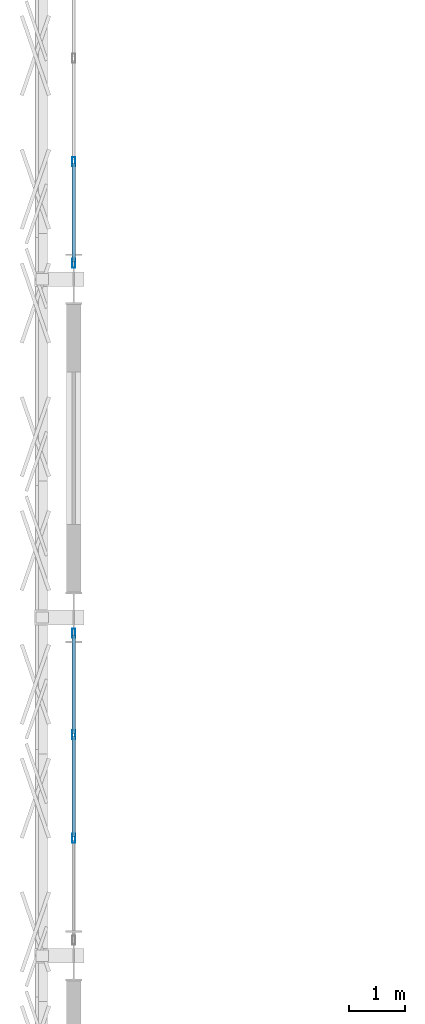
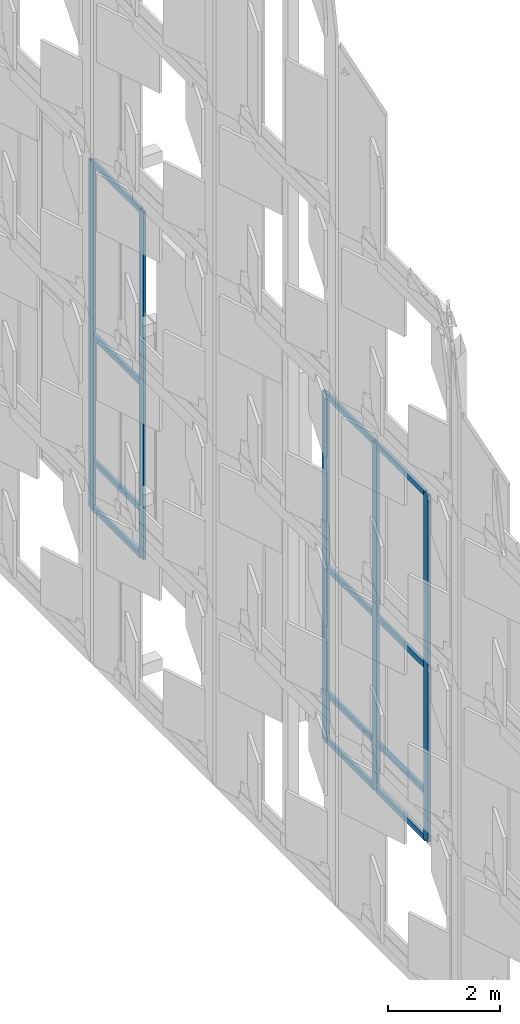
# One storey, part 76 of 210: 17 members, 2 elements without a shape of their own.
"""IFC4 building model written with IfcOpenShell, lengths in metres."""

from ifc_helpers import new_model, si_unit, direction, frame, origin, origin_2d, place, context, subcontext, project, spatial, hollow_rectangle, extrude, material, material_profile, profile_set, type_object, element, aggregate, save


model = new_model("IFC4")

# Units and contexts
model_context = context("Model", 3, precision=1e-05, world=origin(), true_north=direction((0.0, 1.0)))
body_context = subcontext(model_context, "Body", "Model", "MODEL_VIEW")
ifc_project = project(units=[si_unit("LENGTHUNIT", "METRE"), si_unit("AREAUNIT", "SQUARE_METRE"), si_unit("VOLUMEUNIT", "CUBIC_METRE"), si_unit("PLANEANGLEUNIT", "RADIAN"), si_unit("MASSUNIT", "GRAM", prefix="KILO")], contexts=[model_context])

# Site, building, storey
site_placement = place(None, origin())
site = spatial("IfcSite", under=ifc_project, at=site_placement, CompositionType="ELEMENT")
building_placement = place(site_placement, origin())
building = spatial("IfcBuilding", under=site, at=building_placement, Name="Kaldris Quays Convention Centre", CompositionType="ELEMENT")
storey_placement = place(building_placement, frame((0.0, 0.0, 6.0)))
storey = spatial("IfcBuildingStorey", under=building, at=storey_placement, Name="L01", CompositionType="ELEMENT", Elevation=6.0)

# Curtain wall, members
ifc_material_1 = material(Name="Anodized aluminium AW-6060 and triple glazing", Category="aluminium")
curtain_wall_type = type_object("IfcCurtainWallType", Name="UNITISED CURTAIN WALL CW03", PredefinedType="NOTDEFINED", material=ifc_material_1)
curtain_wall_1_placement = place(storey_placement, origin())
curtain_wall_1 = element("IfcCurtainWall", 1, at=curtain_wall_1_placement, inside=storey, type_object=curtain_wall_type, Name="L01 Unitised Curtain Wall CW03 18", PredefinedType="NOTDEFINED")
ifc_material_2 = material(Name="Anodized aluminium AW-6060", Category="aluminium")
ifc_material_profile_1 = material_profile(ifc_material_2, hollow_rectangle(XDim=0.06005859375, YDim=0.159912109375, WallThickness=0.00390625, at=origin_2d()), Name="RHS 160x60x4")
ifc_profile_set_1 = profile_set([ifc_material_profile_1], Name="Anodized aluminium AW-6060")
member_type_1 = type_object("IfcMemberType", Name="CURTAIN MULLION CWM1", PredefinedType="MULLION", material=ifc_profile_set_1)
member_1_placement = place(storey_placement, frame((20.0, 94.083251953125, 0.0), z_axis=(0.0, 0.0, 1.0), x_axis=(-1.0, 0.0, 0.0)))
member_1 = element("IfcMember", 2, at=member_1_placement, type_object=member_type_1, Name="CW03 mullion 2", PredefinedType="MULLION", context=body_context, shape_type="SweptSolid", body=[
    extrude(hollow_rectangle(XDim=0.06005859375, YDim=0.159912109375, WallThickness=0.00390625, at=origin_2d()), origin(), (0.0, 0.0, 1.0), 7.60009765625),
])
member_2_placement = place(storey_placement, frame((20.0, 95.916748046875, 0.0), z_axis=(0.0, 0.0, 1.0), x_axis=(-1.0, 0.0, 0.0)))
member_2 = element("IfcMember", 3, at=member_2_placement, type_object=member_type_1, Name="CW03 mullion 3", PredefinedType="MULLION", context=body_context, shape_type="SweptSolid", body=[
    extrude(hollow_rectangle(XDim=0.06005859375, YDim=0.159912109375, WallThickness=0.00390625, at=origin_2d()), origin(), (0.0, 0.0, 1.0), 7.60009765625),
])
member_3_placement = place(storey_placement, frame((20.0, 97.719970703125, 0.0), z_axis=(0.0, 0.0, 1.0), x_axis=(-1.0, 0.0, 0.0)))
member_3 = element("IfcMember", 4, at=member_3_placement, type_object=member_type_1, Name="CW03 mullion 4", PredefinedType="MULLION", context=body_context, shape_type="SweptSolid", body=[
    extrude(hollow_rectangle(XDim=0.06005859375, YDim=0.159912109375, WallThickness=0.00390625, at=origin_2d()), origin(), (0.0, 0.0, 1.0), 7.60009765625),
])

curtain_wall_2_placement = place(storey_placement, origin())
curtain_wall_2 = element("IfcCurtainWall", 5, at=curtain_wall_2_placement, inside=storey, type_object=curtain_wall_type, Name="L01 Unitised Curtain Wall CW03 19", PredefinedType="NOTDEFINED")
member_4_placement = place(storey_placement, frame((20.0, 104.280029296875, 0.0), z_axis=(0.0, 0.0, 1.0), x_axis=(-1.0, 0.0, 0.0)))
member_4 = element("IfcMember", 6, at=member_4_placement, type_object=member_type_1, Name="CW03 mullion 1", PredefinedType="MULLION", context=body_context, shape_type="SweptSolid", body=[
    extrude(hollow_rectangle(XDim=0.06005859375, YDim=0.159912109375, WallThickness=0.00390625, at=origin_2d()), origin(), (0.0, 0.0, 1.0), 7.60009765625),
])
member_5_placement = place(storey_placement, frame((20.0, 106.083251953125, 0.0), z_axis=(0.0, 0.0, 1.0), x_axis=(-1.0, 0.0, 0.0)))
member_5 = element("IfcMember", 7, at=member_5_placement, type_object=member_type_1, Name="CW03 mullion 2", PredefinedType="MULLION", context=body_context, shape_type="SweptSolid", body=[
    extrude(hollow_rectangle(XDim=0.06005859375, YDim=0.159912109375, WallThickness=0.00390625, at=origin_2d()), origin(), (0.0, 0.0, 1.0), 7.60009765625),
])

# Member
ifc_material_profile_2 = material_profile(ifc_material_2, hollow_rectangle(XDim=0.06005859375, YDim=0.1201171875, WallThickness=0.00390625, at=origin_2d()), Name="RHS 120x60x4")
ifc_profile_set_2 = profile_set([ifc_material_profile_2], Name="Anodized aluminium AW-6060")
member_type_2 = type_object("IfcMemberType", Name="CURTAIN TRANSOM CWT1", PredefinedType="USERDEFINED", material=ifc_profile_set_2)
member_6_placement = place(storey_placement, frame((20.0, 94.11328125, 0.030029296875), z_axis=(0.0, 1.0, 0.0), x_axis=(-1.0, 0.0, 0.0)))
member_6 = element("IfcMember", 8, at=member_6_placement, type_object=member_type_2, Name="CW03 transom 2.1", ObjectType="TRANSOM", PredefinedType="USERDEFINED", context=body_context, shape_type="SweptSolid", body=[
    extrude(hollow_rectangle(XDim=0.06005859375, YDim=0.1201171875, WallThickness=0.00390625, at=origin_2d()), origin(), (0.0, 0.0, 1.0), 1.7734375),
])

member_7_placement = place(storey_placement, frame((20.0, 94.11328125, 1.050048828125), z_axis=(0.0, 1.0, 0.0), x_axis=(-1.0, 0.0, 0.0)))
member_7 = element("IfcMember", 9, at=member_7_placement, type_object=member_type_2, Name="CW03 transom 2.2", ObjectType="TRANSOM", PredefinedType="USERDEFINED", context=body_context, shape_type="SweptSolid", body=[
    extrude(hollow_rectangle(XDim=0.06005859375, YDim=0.1201171875, WallThickness=0.00390625, at=origin_2d()), origin(), (0.0, 0.0, 1.0), 1.7734375),
])

member_8_placement = place(storey_placement, frame((20.0, 94.11328125, 3.800048828125), z_axis=(0.0, 1.0, 0.0), x_axis=(-1.0, 0.0, 0.0)))
member_8 = element("IfcMember", 10, at=member_8_placement, type_object=member_type_2, Name="CW03 transom 2.3", ObjectType="TRANSOM", PredefinedType="USERDEFINED", context=body_context, shape_type="SweptSolid", body=[
    extrude(hollow_rectangle(XDim=0.06005859375, YDim=0.1201171875, WallThickness=0.00390625, at=origin_2d()), origin(), (0.0, 0.0, 1.0), 1.7734375),
])

member_9_placement = place(storey_placement, frame((20.0, 94.11328125, 7.570068359375), z_axis=(0.0, 1.0, 0.0), x_axis=(-1.0, 0.0, 0.0)))
member_9 = element("IfcMember", 11, at=member_9_placement, type_object=member_type_2, Name="CW03 transom 2.4", ObjectType="TRANSOM", PredefinedType="USERDEFINED", context=body_context, shape_type="SweptSolid", body=[
    extrude(hollow_rectangle(XDim=0.06005859375, YDim=0.1201171875, WallThickness=0.00390625, at=origin_2d()), origin(), (0.0, 0.0, 1.0), 1.7734375),
])

member_10_placement = place(storey_placement, frame((20.0, 95.94677734375, 0.030029296875), z_axis=(0.0, 1.0, 0.0), x_axis=(-1.0, 0.0, 0.0)))
member_10 = element("IfcMember", 12, at=member_10_placement, type_object=member_type_2, Name="CW03 transom 3.1", ObjectType="TRANSOM", PredefinedType="USERDEFINED", context=body_context, shape_type="SweptSolid", body=[
    extrude(hollow_rectangle(XDim=0.06005859375, YDim=0.1201171875, WallThickness=0.00390625, at=origin_2d()), origin(), (0.0, 0.0, 1.0), 1.7431640625),
])

member_11_placement = place(storey_placement, frame((20.0, 95.94677734375, 1.050048828125), z_axis=(0.0, 1.0, 0.0), x_axis=(-1.0, 0.0, 0.0)))
member_11 = element("IfcMember", 13, at=member_11_placement, type_object=member_type_2, Name="CW03 transom 3.2", ObjectType="TRANSOM", PredefinedType="USERDEFINED", context=body_context, shape_type="SweptSolid", body=[
    extrude(hollow_rectangle(XDim=0.06005859375, YDim=0.1201171875, WallThickness=0.00390625, at=origin_2d()), origin(), (0.0, 0.0, 1.0), 1.7431640625),
])

member_12_placement = place(storey_placement, frame((20.0, 95.94677734375, 3.800048828125), z_axis=(0.0, 1.0, 0.0), x_axis=(-1.0, 0.0, 0.0)))
member_12 = element("IfcMember", 14, at=member_12_placement, type_object=member_type_2, Name="CW03 transom 3.3", ObjectType="TRANSOM", PredefinedType="USERDEFINED", context=body_context, shape_type="SweptSolid", body=[
    extrude(hollow_rectangle(XDim=0.06005859375, YDim=0.1201171875, WallThickness=0.00390625, at=origin_2d()), origin(), (0.0, 0.0, 1.0), 1.7431640625),
])

member_13_placement = place(storey_placement, frame((20.0, 95.94677734375, 7.570068359375), z_axis=(0.0, 1.0, 0.0), x_axis=(-1.0, 0.0, 0.0)))
member_13 = element("IfcMember", 15, at=member_13_placement, type_object=member_type_2, Name="CW03 transom 3.4", ObjectType="TRANSOM", PredefinedType="USERDEFINED", context=body_context, shape_type="SweptSolid", body=[
    extrude(hollow_rectangle(XDim=0.06005859375, YDim=0.1201171875, WallThickness=0.00390625, at=origin_2d()), origin(), (0.0, 0.0, 1.0), 1.7431640625),
])

aggregate(curtain_wall_1, [member_1, member_2, member_3, member_6, member_7, member_8, member_9, member_10, member_11, member_12, member_13])

member_14_placement = place(storey_placement, frame((20.0, 104.31005859375, 0.030029296875), z_axis=(0.0, 1.0, 0.0), x_axis=(-1.0, 0.0, 0.0)))
member_14 = element("IfcMember", 16, at=member_14_placement, type_object=member_type_2, Name="CW03 transom 1.1", ObjectType="TRANSOM", PredefinedType="USERDEFINED", context=body_context, shape_type="SweptSolid", body=[
    extrude(hollow_rectangle(XDim=0.06005859375, YDim=0.1201171875, WallThickness=0.00390625, at=origin_2d()), origin(), (0.0, 0.0, 1.0), 1.7431640625),
])

member_15_placement = place(storey_placement, frame((20.0, 104.31005859375, 1.050048828125), z_axis=(0.0, 1.0, 0.0), x_axis=(-1.0, 0.0, 0.0)))
member_15 = element("IfcMember", 17, at=member_15_placement, type_object=member_type_2, Name="CW03 transom 1.2", ObjectType="TRANSOM", PredefinedType="USERDEFINED", context=body_context, shape_type="SweptSolid", body=[
    extrude(hollow_rectangle(XDim=0.06005859375, YDim=0.1201171875, WallThickness=0.00390625, at=origin_2d()), origin(), (0.0, 0.0, 1.0), 1.7431640625),
])

member_16_placement = place(storey_placement, frame((20.0, 104.31005859375, 3.800048828125), z_axis=(0.0, 1.0, 0.0), x_axis=(-1.0, 0.0, 0.0)))
member_16 = element("IfcMember", 18, at=member_16_placement, type_object=member_type_2, Name="CW03 transom 1.3", ObjectType="TRANSOM", PredefinedType="USERDEFINED", context=body_context, shape_type="SweptSolid", body=[
    extrude(hollow_rectangle(XDim=0.06005859375, YDim=0.1201171875, WallThickness=0.00390625, at=origin_2d()), origin(), (0.0, 0.0, 1.0), 1.7431640625),
])

member_17_placement = place(storey_placement, frame((20.0, 104.31005859375, 7.570068359375), z_axis=(0.0, 1.0, 0.0), x_axis=(-1.0, 0.0, 0.0)))
member_17 = element("IfcMember", 19, at=member_17_placement, type_object=member_type_2, Name="CW03 transom 1.4", ObjectType="TRANSOM", PredefinedType="USERDEFINED", context=body_context, shape_type="SweptSolid", body=[
    extrude(hollow_rectangle(XDim=0.06005859375, YDim=0.1201171875, WallThickness=0.00390625, at=origin_2d()), origin(), (0.0, 0.0, 1.0), 1.7431640625),
])

aggregate(curtain_wall_2, [member_4, member_5, member_14, member_15, member_16, member_17])

save(model, "model.ifc")
